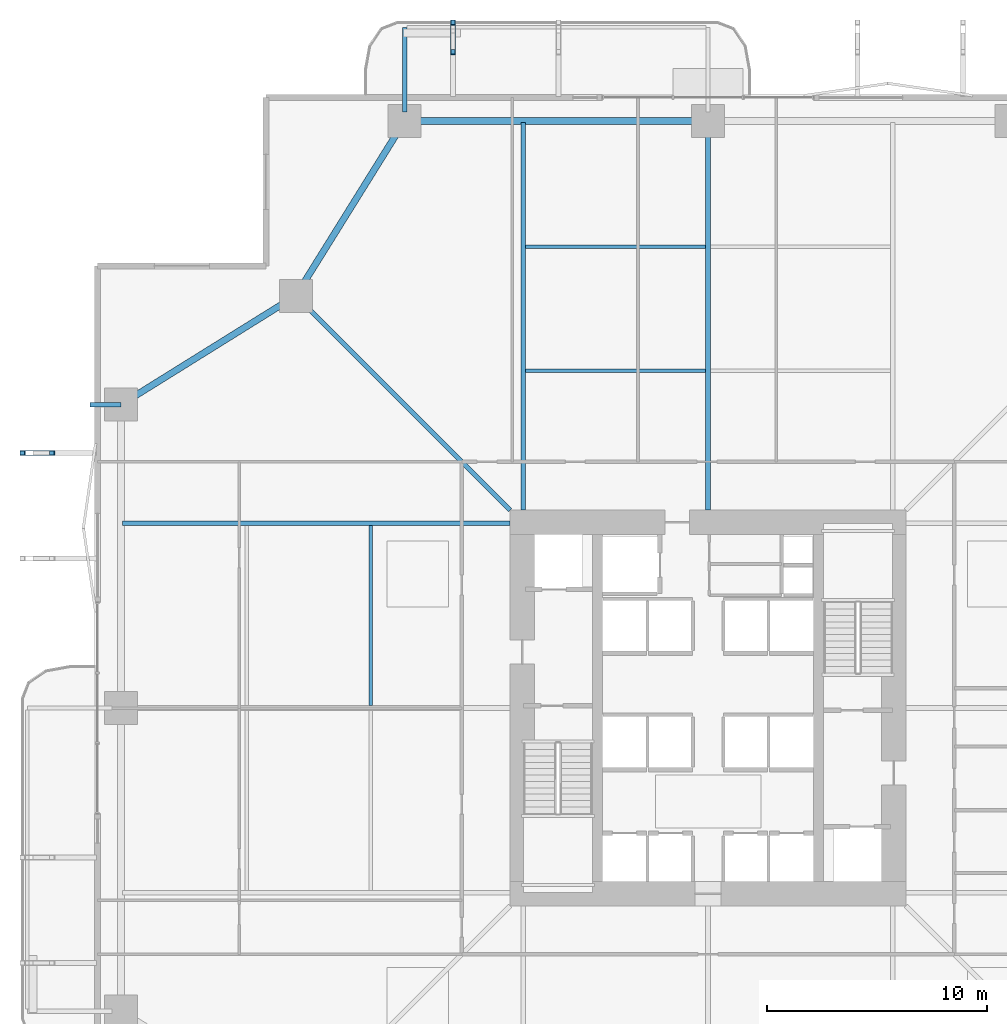
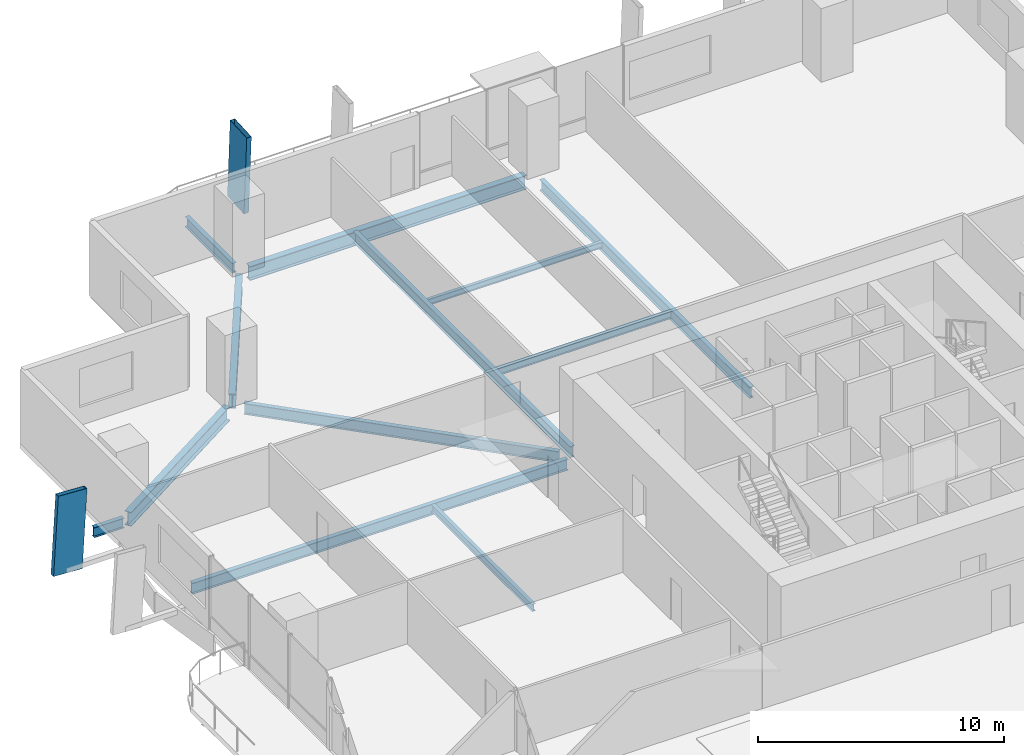
# One storey, part 10 of 24: 12 beams, 2 members.
"""IFC4 building model written with IfcOpenShell, lengths in metres."""

from ifc_helpers import new_model, si_unit, direction, frame, origin, origin_2d, place, context, subcontext, project, spatial, hollow_rectangle, i_section, extrude, material, material_profile, profile_set, type_object, element, save


model = new_model("IFC4")

# Units and contexts
model_context = context("Model", 3, precision=1e-05, world=origin(), true_north=direction((0.0, 1.0)))
body_context = subcontext(model_context, "Body", "Model", "MODEL_VIEW")
ifc_project = project(units=[si_unit("LENGTHUNIT", "METRE"), si_unit("AREAUNIT", "SQUARE_METRE"), si_unit("VOLUMEUNIT", "CUBIC_METRE"), si_unit("PLANEANGLEUNIT", "RADIAN"), si_unit("MASSUNIT", "GRAM", prefix="KILO")], contexts=[model_context])

# Site, building, storey
site_placement = place(None, origin())
site = spatial("IfcSite", under=ifc_project, at=site_placement, CompositionType="ELEMENT")
building_placement = place(site_placement, origin())
building = spatial("IfcBuilding", under=site, at=building_placement, Name="Belovzor Exchange Tower", CompositionType="ELEMENT")
storey_placement = place(building_placement, frame((0.0, 0.0, 45.60009765625)))
storey = spatial("IfcBuildingStorey", under=building, at=storey_placement, Name="L10", CompositionType="ELEMENT", Elevation=45.60009765625)

# Members
ifc_material_1 = material(Name="Extruded Architectural Terracotta on Steel S355 Carrier", Category="masonry")
ifc_material_profile_1 = material_profile(ifc_material_1, hollow_rectangle(XDim=0.219970703125, YDim=1.35009765625, WallThickness=0.013916015625, at=origin_2d()))
ifc_profile_set_1 = profile_set([ifc_material_profile_1], Name="Extruded Architectural Terracotta on Steel S355 Carrier")
member_type = type_object("IfcMemberType", Name="Base Arc Sweeping Terracotta Pylon Fin 1450", PredefinedType="USERDEFINED", material=ifc_profile_set_1)
for number, where, z_axis, x_axis, name in (
    (1, (17.199951171875, 59.4208984375, -0.25), (0.0, -0.057062249796, 0.998370622388), (1.0, 0.0, 0.0), "FIN-TC145 Terracotta Facade Fin L10 N1"),
    (2, (-1.821044921875, 40.39990234375, -0.25), (0.057124545683, 0.0, 0.998367059894), (0.0, 1.0, 0.0), "FIN-TC145 Terracotta Facade Fin L10 W4"),
):
    element("IfcMember", number, at=place(storey_placement, frame(where, z_axis=z_axis, x_axis=x_axis)), inside=storey, type_object=member_type, Name=name, ObjectType="FIN", PredefinedType="USERDEFINED", context=body_context, shape_type="SweptSolid", body=[
        extrude(hollow_rectangle(XDim=0.219970703125, YDim=1.35009765625, WallThickness=0.013916015625, at=origin_2d()), origin(), (0.0, 0.0, 1.0), 3.90625),
    ])

# Beams
ifc_material_2 = material(Name="Steel S355", Category="steel")
ifc_material_profile_2 = material_profile(ifc_material_2, i_section(OverallWidth=0.199951171875, OverallDepth=0.5, WebThickness=0.01025390625, FlangeThickness=0.01611328125, at=origin_2d()))
ifc_profile_set_2 = profile_set([ifc_material_profile_2], Name="Steel S355")
beam_type_1 = type_object("IfcBeamType", Name="Planted Balcony Cantilever Beam IPE 500", PredefinedType="BEAM", material=ifc_profile_set_2)
beam_1_placement = place(storey_placement, frame((15.0, 55.9130859375, -0.5), z_axis=(0.0, 1.0, 0.0), x_axis=(-1.0, 0.0, 0.0)))
element("IfcBeam", 3, at=beam_1_placement, inside=storey, type_object=beam_type_1, Name="BC-500 Planted Balcony Cantilever Beam IPE 500", PredefinedType="BEAM", context=body_context, shape_type="SweptSolid", body=[
    extrude(i_section(OverallWidth=0.199951171875, OverallDepth=0.5, WebThickness=0.01025390625, FlangeThickness=0.01611328125, at=origin_2d()), origin(), (0.0, 0.0, 1.0), 3.849853515625),
])
beam_2_placement = place(storey_placement, frame((2.10009765625, 42.60009765625, -0.5), z_axis=(-1.0, 0.0, 0.0), x_axis=(0.0, -1.0, 0.0)))
element("IfcBeam", 4, at=beam_2_placement, inside=storey, type_object=beam_type_1, Name="BC-500 Planted Balcony Cantilever Beam IPE 500", PredefinedType="BEAM", context=body_context, shape_type="SweptSolid", body=[
    extrude(i_section(OverallWidth=0.199951171875, OverallDepth=0.5, WebThickness=0.01025390625, FlangeThickness=0.01611328125, at=origin_2d()), origin(), (0.0, 0.0, 1.0), 1.400146484375),
])
ifc_material_3 = material(Name="Steel S355", Category="steel")
ifc_material_profile_3 = material_profile(ifc_material_3, i_section(OverallWidth=0.169921875, OverallDepth=0.360107421875, WebThickness=0.008056640625, FlangeThickness=0.0126953125, at=origin_2d()))
ifc_profile_set_3 = profile_set([ifc_material_profile_3], Name="Steel S355")
beam_type_2 = type_object("IfcBeamType", Name="Secondary Infill Floor Joist IPE 360", PredefinedType="BEAM", material=ifc_profile_set_3)
beam_3_placement = place(storey_placement, frame((20.5048828125, 44.14501953125, -0.43017578125), z_axis=(1.0, 0.0, 0.0), x_axis=(0.0, 1.0, 0.0)))
element("IfcBeam", 5, at=beam_3_placement, inside=storey, type_object=beam_type_2, Name="FJ-360 Secondary Infill Floor Joist IPE 360", PredefinedType="BEAM", context=body_context, shape_type="SweptSolid", body=[
    extrude(i_section(OverallWidth=0.169921875, OverallDepth=0.360107421875, WebThickness=0.008056640625, FlangeThickness=0.0126953125, at=origin_2d()), origin(), (0.0, 0.0, 1.0), 8.190185546875),
])
beam_4_placement = place(storey_placement, frame((13.455078125, 28.905029296875, -0.43017578125), z_axis=(0.0, 1.0, 0.0), x_axis=(-1.0, 0.0, 0.0)))
element("IfcBeam", 6, at=beam_4_placement, inside=storey, type_object=beam_type_2, Name="FJ-360 Secondary Infill Floor Joist IPE 360", PredefinedType="BEAM", context=body_context, shape_type="SweptSolid", body=[
    extrude(i_section(OverallWidth=0.169921875, OverallDepth=0.360107421875, WebThickness=0.008056640625, FlangeThickness=0.0126953125, at=origin_2d()), origin(), (0.0, 0.0, 1.0), 8.18994140625),
])
ifc_material_4 = material(Name="Steel S355", Category="steel")
ifc_material_profile_4 = material_profile(ifc_material_4, i_section(OverallWidth=0.14990234375, OverallDepth=0.300048828125, WebThickness=0.007080078125, FlangeThickness=0.0107421875, at=origin_2d()))
ifc_profile_set_4 = profile_set([ifc_material_profile_4], Name="Steel S355")
beam_type_3 = type_object("IfcBeamType", Name="Secondary Trim Floor Joist IPE 300", PredefinedType="BEAM", material=ifc_profile_set_4)
beam_5_placement = place(storey_placement, frame((20.5048828125, 49.784912109375, -0.400146484375), z_axis=(1.0, 0.0, 0.0), x_axis=(0.0, 1.0, 0.0)))
element("IfcBeam", 7, at=beam_5_placement, inside=storey, type_object=beam_type_3, Name="FJ-300 Secondary Trim Floor Joist IPE 300", PredefinedType="BEAM", context=body_context, shape_type="SweptSolid", body=[
    extrude(i_section(OverallWidth=0.14990234375, OverallDepth=0.300048828125, WebThickness=0.007080078125, FlangeThickness=0.0107421875, at=origin_2d()), origin(), (0.0, 0.0, 1.0), 8.190185546875),
])
ifc_material_5 = material(Name="Steel S355", Category="steel")
ifc_material_profile_5 = material_profile(ifc_material_5, i_section(OverallWidth=0.300048828125, OverallDepth=0.699951171875, WebThickness=0.01708984375, FlangeThickness=0.031982421875, at=origin_2d()))
ifc_profile_set_5 = profile_set([ifc_material_profile_5], Name="Steel S355")
beam_type_4 = type_object("IfcBeamType", Name="Zone 1 Primary Perimeter Girder HEB 700", PredefinedType="BEAM", material=ifc_profile_set_5)
beam_6_placement = place(storey_placement, frame((28.386962890625, 55.5, -0.60009765625), z_axis=(-1.0, 0.0, 0.0), x_axis=(0.0, -1.0, 0.0)))
element("IfcBeam", 8, at=beam_6_placement, inside=storey, type_object=beam_type_4, Name="FG-Z1 Zone 1 Primary Perimeter Girder HEB 700", PredefinedType="BEAM", context=body_context, shape_type="SweptSolid", body=[
    extrude(i_section(OverallWidth=0.300048828125, OverallDepth=0.699951171875, WebThickness=0.01708984375, FlangeThickness=0.031982421875, at=origin_2d()), origin(), (0.0, 0.0, 1.0), 12.974853515625),
])
for number, where, z_axis, x_axis, name in (
    (9, (14.781982421875, 55.14990234375, -0.60009765625), (-0.528538629686, -0.848909251292, 0.0), (0.848909251292, -0.528538629686, 0.0), "FG-Z1 Zone 1 Primary Perimeter Girder HEB 700"),
    (10, (9.699951171875, 47.33203125, -0.60009765625), (-0.848909251292, -0.528538629686, 0.0), (0.528538629686, -0.848909251292, 0.0), "FG-Z1 Zone 1 Primary Perimeter Girder HEB 700"),
):
    element("IfcBeam", number, at=place(storey_placement, frame(where, z_axis=z_axis, x_axis=x_axis)), inside=storey, type_object=beam_type_4, Name=name, PredefinedType="BEAM", context=body_context, shape_type="SweptSolid", body=[
        extrude(i_section(OverallWidth=0.300048828125, OverallDepth=0.699951171875, WebThickness=0.01708984375, FlangeThickness=0.031982421875, at=origin_2d()), origin(), (0.0, 0.0, 1.0), 8.540283203125),
    ])
ifc_material_6 = material(Name="Steel S355", Category="steel")
ifc_material_profile_6 = material_profile(ifc_material_6, i_section(OverallWidth=0.2099609375, OverallDepth=0.550048828125, WebThickness=0.010986328125, FlangeThickness=0.01708984375, at=origin_2d()))
ifc_profile_set_6 = profile_set([ifc_material_profile_6], Name="Steel S355")
beam_type_5 = type_object("IfcBeamType", Name="Zone 1 Radial Composite Floor Beam IPE 550", PredefinedType="BEAM", material=ifc_profile_set_6)
beam_7_placement = place(storey_placement, frame((20.39990234375, 37.800048828125, -0.525146484375), z_axis=(0.0, 1.0, 0.0), x_axis=(-1.0, 0.0, 0.0)))
element("IfcBeam", 11, at=beam_7_placement, inside=storey, type_object=beam_type_5, Name="FB-550 Zone 1 Radial Composite Floor Beam IPE 550", PredefinedType="BEAM", context=body_context, shape_type="SweptSolid", body=[
    extrude(i_section(OverallWidth=0.2099609375, OverallDepth=0.550048828125, WebThickness=0.010986328125, FlangeThickness=0.01708984375, at=origin_2d()), origin(), (0.0, 0.0, 1.0), 17.625),
])
beam_8_placement = place(storey_placement, frame((28.800048828125, 37.800048828125, -0.525146484375), z_axis=(0.0, 1.0, 0.0), x_axis=(-1.0, 0.0, 0.0)))
element("IfcBeam", 12, at=beam_8_placement, inside=storey, type_object=beam_type_5, Name="FB-550 Zone 1 Radial Composite Floor Beam IPE 550", PredefinedType="BEAM", context=body_context, shape_type="SweptSolid", body=[
    extrude(i_section(OverallWidth=0.2099609375, OverallDepth=0.550048828125, WebThickness=0.010986328125, FlangeThickness=0.01708984375, at=origin_2d()), origin(), (0.0, 0.0, 1.0), 17.0400390625),
])
beam_9_placement = place(storey_placement, frame((19.800048828125, 37.199951171875, -0.525146484375), z_axis=(-1.0, 0.0, 0.0), x_axis=(0.0, -1.0, 0.0)))
element("IfcBeam", 13, at=beam_9_placement, inside=storey, type_object=beam_type_5, Name="FB-550 Zone 1 Radial Composite Floor Beam IPE 550", PredefinedType="BEAM", context=body_context, shape_type="SweptSolid", body=[
    extrude(i_section(OverallWidth=0.2099609375, OverallDepth=0.550048828125, WebThickness=0.010986328125, FlangeThickness=0.01708984375, at=origin_2d()), origin(), (0.0, 0.0, 1.0), 17.625),
])
beam_10_placement = place(storey_placement, frame((19.800048828125, 37.800048828125, -0.525146484375), z_axis=(-0.707106781187, 0.707106781187, 0.0), x_axis=(-0.707106781187, -0.707106781187, 0.0)))
element("IfcBeam", 14, at=beam_10_placement, inside=storey, type_object=beam_type_5, Name="FB-550 Zone 1 Radial Composite Floor Beam IPE 550", PredefinedType="BEAM", context=body_context, shape_type="SweptSolid", body=[
    extrude(i_section(OverallWidth=0.2099609375, OverallDepth=0.550048828125, WebThickness=0.010986328125, FlangeThickness=0.01708984375, at=origin_2d()), origin(), (0.0, 0.0, 1.0), 13.25830078125),
])

save(model, "model.ifc")
